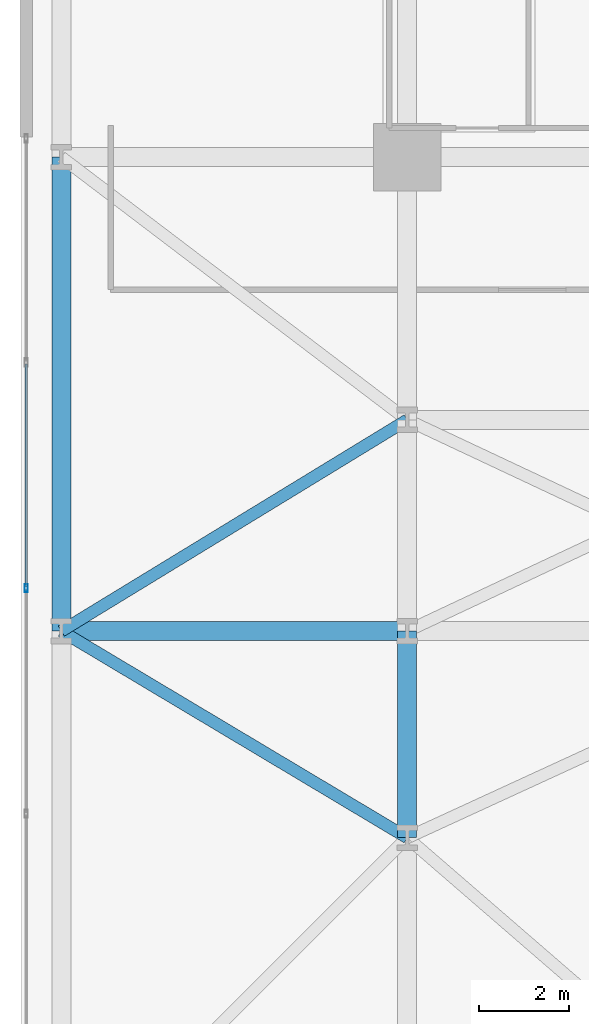
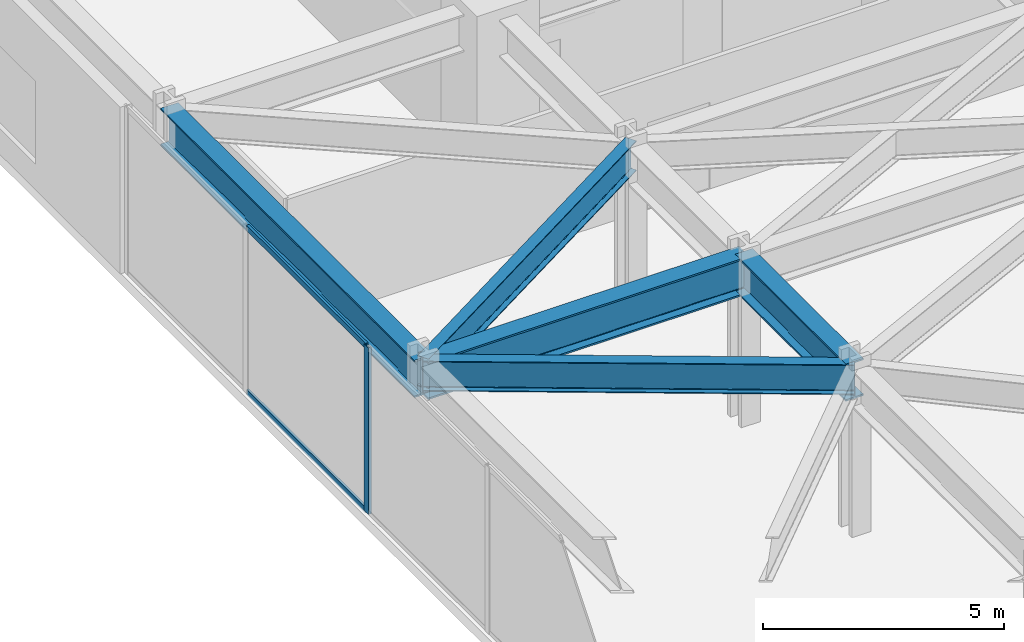
# One storey, part 10 of 28: 5 beams, 3 members, 1 element without a shape of its own.
"""IFC4 building model written with IfcOpenShell, lengths in metres."""

import ifcopenshell
import ifcopenshell.guid

model = None  # the IFC model being written
_history = None  # IfcOwnerHistory: only IFC2X3 demands one
_inside = {}  # id of a spatial element -> (the spatial element, [elements in it])
_under = {}  # id of a project, library or spatial element -> (it, [spatial elements below it])
_declared = {}  # id of a project -> (the project, [libraries it declares])
_typed = {}  # id of a type object -> (the type object, [elements of that type])
_made_of = {}  # id of a material, layer set ... -> (it, [elements and type objects made of it])


def new_model(schema):
    """Start an empty IFC model of exactly this schema.

    Asked for "IFC4X3", IfcOpenShell would pick the latest addendum, in which some entities
    have other attributes; the version numbers below select the first issue.
    IFC2X3 requires an IfcOwnerHistory on every rooted entity: one is made here for all.
    """
    global model, _history
    if schema == "IFC4X3":
        model = ifcopenshell.file(schema_version=(4, 3, 0, 0))
    else:
        model = ifcopenshell.file(schema=schema)
    _inside.clear()
    _under.clear()
    _declared.clear()
    _typed.clear()
    _made_of.clear()
    _history = None
    if model.schema == "IFC2X3":
        org = make("IfcOrganization", Name="unknown")
        user = make(
            "IfcPersonAndOrganization",
            ThePerson=make("IfcPerson", FamilyName="unknown"),
            TheOrganization=org,
        )
        app = make(
            "IfcApplication",
            ApplicationDeveloper=org,
            Version="unknown",
            ApplicationFullName="unknown",
            ApplicationIdentifier="unknown",
        )
        _history = make(
            "IfcOwnerHistory",
            OwningUser=user,
            OwningApplication=app,
            ChangeAction="ADDED",
            CreationDate=0,
        )
    return model


def make(cls, **values):
    """One entity of the class cls with the attributes given. An attribute that is None is left unset."""
    return model.create_entity(
        cls, **{name: value for name, value in values.items() if value is not None}
    )


def rooted(cls, **values):
    """An entity with a GlobalId (a new one), such as an element, a storey or a relation."""
    return make(cls, GlobalId=ifcopenshell.guid.new(), OwnerHistory=_history, **values)


def si_unit(unit_type, name, prefix=None):
    """IfcSIUnit, for example si_unit("LENGTHUNIT", "METRE", prefix="MILLI")."""
    return make("IfcSIUnit", UnitType=unit_type, Prefix=prefix, Name=name)


def assignment(units):
    """IfcUnitAssignment: the units of a project."""
    return None if units is None else make("IfcUnitAssignment", Units=units)


def point(xyz):
    """IfcCartesianPoint."""
    return None if xyz is None else make("IfcCartesianPoint", Coordinates=xyz)


def direction(xyz):
    """IfcDirection."""
    return None if xyz is None else make("IfcDirection", DirectionRatios=xyz)


def frame(location, z_axis=None, x_axis=None):
    """IfcAxis2Placement3D, a coordinate frame: its origin and axes. An axis left out is left unset."""
    return make(
        "IfcAxis2Placement3D",
        Location=point(location),
        Axis=direction(z_axis),
        RefDirection=direction(x_axis),
    )


def frame_2d(location, x_axis=None):
    """IfcAxis2Placement2D, a coordinate frame in the plane: its origin and x axis."""
    return make(
        "IfcAxis2Placement2D", Location=point(location), RefDirection=direction(x_axis)
    )


def origin():
    """The frame at (0, 0, 0) with its axes left unset."""
    return frame((0.0, 0.0, 0.0))


def origin_2d():
    """The frame at (0, 0) in the plane with its x axis left unset."""
    return frame_2d((0.0, 0.0))


def place(relative_to, where):
    """IfcLocalPlacement: puts the frame where relative to a parent placement (None: the world)."""
    return make(
        "IfcLocalPlacement", PlacementRelTo=relative_to, RelativePlacement=where
    )


def context(
    kind, dimensions, precision=None, world=None, true_north=None, identifier=None
):
    """IfcGeometricRepresentationContext, for example the 3D "Model" context."""
    return make(
        "IfcGeometricRepresentationContext",
        ContextIdentifier=identifier,
        ContextType=kind,
        CoordinateSpaceDimension=dimensions,
        Precision=precision,
        WorldCoordinateSystem=world,
        TrueNorth=true_north,
    )


def subcontext(parent, identifier, kind, view, scale=None):
    """IfcGeometricRepresentationSubContext, for example "Body" below "Model"."""
    return make(
        "IfcGeometricRepresentationSubContext",
        ContextIdentifier=identifier,
        ContextType=kind,
        ParentContext=parent,
        TargetScale=scale,
        TargetView=view,
    )


def project(units=None, contexts=None):
    """IfcProject with its units and contexts."""
    return rooted(
        "IfcProject",
        Name="project",
        RepresentationContexts=contexts,
        UnitsInContext=assignment(units),
    )


def spatial(cls, under=None, at=None, **own):
    """A site, building, storey or space (cls), placed at a placement, below another one or the project."""
    s = rooted(cls, ObjectPlacement=at, **own)
    if under is not None:
        _under.setdefault(under.id(), (under, []))[1].append(s)
    return s


def profile(cls, at=None, kind="AREA", **sizes):
    """A parametric profile (cls). Its sizes go by their IFC names, for example OverallWidth=200.0."""
    return make(cls, ProfileType=kind, Position=at, **sizes)


def hollow_rectangle(**sizes):
    """IfcRectangleHollowProfileDef."""
    return profile("IfcRectangleHollowProfileDef", **sizes)


def i_section(**sizes):
    """IfcIShapeProfileDef."""
    return profile("IfcIShapeProfileDef", **sizes)


def extrude(swept, where, along, depth):
    """IfcExtrudedAreaSolid: the profile swept, set in the frame where, extruded along a direction by depth."""
    return make(
        "IfcExtrudedAreaSolid",
        SweptArea=swept,
        Position=where,
        ExtrudedDirection=direction(along),
        Depth=depth,
    )


def shape(context_of_items, identifier, shape_type, items):
    """IfcShapeRepresentation: the items that make up one representation, for example the "Body"."""
    return make(
        "IfcShapeRepresentation",
        ContextOfItems=context_of_items,
        RepresentationIdentifier=identifier,
        RepresentationType=shape_type,
        Items=items,
    )


def material(Name=None, Category=None):
    """IfcMaterial."""
    return make("IfcMaterial", Name=Name, Category=Category)


def layer(
    of_material, thickness, ventilated=None, Name=None, Category=None, Priority=None
):
    """IfcMaterialLayer: one layer of a wall or slab, of a material (None: an air gap)."""
    return make(
        "IfcMaterialLayer",
        Material=of_material,
        LayerThickness=thickness,
        IsVentilated=ventilated,
        Name=Name,
        Category=Category,
        Priority=Priority,
    )


def layer_set(layers, Name=None):
    """IfcMaterialLayerSet."""
    return make("IfcMaterialLayerSet", MaterialLayers=layers, LayerSetName=Name)


def material_profile(
    of_material, cross_section, Name=None, Category=None, Priority=None
):
    """IfcMaterialProfile: a cross section and its material."""
    return make(
        "IfcMaterialProfile",
        Name=Name,
        Material=of_material,
        Profile=cross_section,
        Priority=Priority,
        Category=Category,
    )


def profile_set(profiles, Name=None, composite=None):
    """IfcMaterialProfileSet."""
    return make(
        "IfcMaterialProfileSet",
        Name=Name,
        MaterialProfiles=profiles,
        CompositeProfile=composite,
    )


def made_of(thing, what):
    """Note that an element or type object is made of a material, layer set ...; save() writes the relation."""
    if what is not None:
        _made_of.setdefault(what.id(), (what, []))[1].append(thing)
    return thing


def type_object(cls, material=None, **own):
    """A type object (cls), such as IfcWallType, which elements share."""
    return made_of(rooted(cls, **own), material)


def element(
    cls,
    number,
    at=None,
    inside=None,
    cuts=None,
    type_object=None,
    material=None,
    context=None,
    identifier="Body",
    shape_type=None,
    held_by="IfcProductDefinitionShape",
    body=None,
    shapes=None,
    **own,
):
    """One element of the class cls, such as IfcWall. Its Tag is "e" and its number.

    at: its placement. inside: the storey or other place that contains it. cuts: it is an
    opening in that element (IfcRelVoidsElement). A single representation is given by context,
    identifier, shape_type and body (its items); several are given by shapes. held_by: the class
    of the entity that holds the representations. save() writes the other relations.
    """
    e = rooted(cls, Tag="e%d" % number, ObjectPlacement=at, **own)
    if body is not None:
        shapes = [shape(context, identifier, shape_type, body)]
    if shapes is not None:
        e.Representation = make(held_by, Representations=shapes)
    if inside is not None:
        _inside.setdefault(inside.id(), (inside, []))[1].append(e)
    if cuts is not None:
        rooted(
            "IfcRelVoidsElement", RelatingBuildingElement=cuts, RelatedOpeningElement=e
        )
    if type_object is not None:
        _typed.setdefault(type_object.id(), (type_object, []))[1].append(e)
    return made_of(e, material)


def aggregate(whole, parts):
    """IfcRelAggregates: a whole, such as a stair, and the parts it consists of."""
    return rooted("IfcRelAggregates", RelatingObject=whole, RelatedObjects=parts)


def save(model, path):
    """Write the relations noted so far, then the file.

    IfcRelAggregates (storeys below a building ...), IfcRelContainedInSpatialStructure (elements
    in a storey), IfcRelDefinesByType, IfcRelAssociatesMaterial and IfcRelDeclares: one each for
    every whole, place, type object, material and project.
    """
    for whole, parts in _under.values():
        aggregate(whole, parts)
    for where, things in _inside.values():
        rooted(
            "IfcRelContainedInSpatialStructure",
            RelatedElements=things,
            RelatingStructure=where,
        )
    for kind, things in _typed.values():
        rooted("IfcRelDefinesByType", RelatedObjects=things, RelatingType=kind)
    for what, things in _made_of.values():
        rooted("IfcRelAssociatesMaterial", RelatedObjects=things, RelatingMaterial=what)
    for by, libraries in _declared.values():
        rooted("IfcRelDeclares", RelatingContext=by, RelatedDefinitions=libraries)
    model.write(path)


model = new_model("IFC4")

# Units and contexts
model_context = context("Model", 3, precision=1e-05, world=origin(), true_north=direction((0.0, 1.0)))
body_context = subcontext(model_context, "Body", "Model", "MODEL_VIEW")
ifc_project = project(units=[si_unit("LENGTHUNIT", "METRE"), si_unit("AREAUNIT", "SQUARE_METRE"), si_unit("VOLUMEUNIT", "CUBIC_METRE"), si_unit("PLANEANGLEUNIT", "RADIAN"), si_unit("MASSUNIT", "GRAM", prefix="KILO")], contexts=[model_context])

# Site, building, storey
site_placement = place(None, origin())
site = spatial("IfcSite", under=ifc_project, at=site_placement, CompositionType="ELEMENT")
building_placement = place(site_placement, origin())
building = spatial("IfcBuilding", under=site, at=building_placement, Name="Kravanh Interchange Tower", CompositionType="ELEMENT")
storey_placement = place(building_placement, frame((0.0, 0.0, 15.300048828125)))
storey = spatial("IfcBuildingStorey", under=building, at=storey_placement, Name="L03", CompositionType="ELEMENT", Elevation=15.300048828125)

# Curtain wall, members
ifc_material_1 = material(Name="Anodised Bronze Aluminium", Category="aluminium")
ifc_layer = layer(ifc_material_1, 0.179931640625)
ifc_layer_set = layer_set([ifc_layer], Name="Unitised Curtain Wall System CW-POD Podium Concourse")
curtain_wall_type = type_object("IfcCurtainWallType", Name="Unitised Curtain Wall System CW-POD Podium Concourse", PredefinedType="NOTDEFINED", material=ifc_layer_set)
curtain_wall_placement = place(storey_placement, origin())
curtain_wall = element("IfcCurtainWall", 1, at=curtain_wall_placement, inside=storey, type_object=curtain_wall_type, Name="L03 Unitised Curtain Wall CW-L03-01", PredefinedType="NOTDEFINED")
ifc_material_2 = material(Name="Anodised Bronze Aluminium", Category="aluminium")
ifc_material_profile_1 = material_profile(ifc_material_2, hollow_rectangle(XDim=0.070068359375, YDim=0.179931640625, WallThickness=0.00390625, at=origin_2d()), Name="ALU70X180X4")
ifc_profile_set_1 = profile_set([ifc_material_profile_1], Name="Anodised Bronze Aluminium")
member_type_1 = type_object("IfcMemberType", Name="Curtain Wall Mullion ALU70X180X4 Bronze", PredefinedType="MULLION", material=ifc_profile_set_1)
member_1_placement = place(storey_placement, frame((0.1201171875, 27.757080078125, 0.0), z_axis=(0.0, 0.0, 1.0), x_axis=(-1.0, 0.0, 0.0)))
member_1 = element("IfcMember", 2, at=member_1_placement, type_object=member_type_1, Name="CW-POD mullion 6", PredefinedType="MULLION", context=body_context, shape_type="SweptSolid", body=[
    extrude(hollow_rectangle(XDim=0.070068359375, YDim=0.179931640625, WallThickness=0.00390625, at=origin_2d()), origin(), (0.0, 0.0, 1.0), 4.22998046875),
])
ifc_material_3 = material(Name="Anodised Bronze Aluminium", Category="aluminium")
ifc_material_profile_2 = material_profile(ifc_material_3, hollow_rectangle(XDim=0.06005859375, YDim=0.139892578125, WallThickness=0.00390625, at=origin_2d()), Name="ALU60X140X4")
ifc_profile_set_2 = profile_set([ifc_material_profile_2], Name="Anodised Bronze Aluminium")
member_type_2 = type_object("IfcMemberType", Name="Curtain Wall Transom ALU60X140X4 Bronze", PredefinedType="USERDEFINED", material=ifc_profile_set_2)
member_2_placement = place(storey_placement, frame((0.1201171875, 27.7919921875, 0.030029296875), z_axis=(0.0, 1.0, 0.0), x_axis=(-1.0, 0.0, 0.0)))
member_2 = element("IfcMember", 3, at=member_2_placement, type_object=member_type_2, Name="CW-POD transom 6.1", ObjectType="TRANSOM", PredefinedType="USERDEFINED", context=body_context, shape_type="SweptSolid", body=[
    extrude(hollow_rectangle(XDim=0.06005859375, YDim=0.139892578125, WallThickness=0.00390625, at=origin_2d()), origin(), (0.0, 0.0, 1.0), 4.951416015625),
])
member_3_placement = place(storey_placement, frame((0.1201171875, 27.7919921875, 4.199951171875), z_axis=(0.0, 1.0, 0.0), x_axis=(-1.0, 0.0, 0.0)))
member_3 = element("IfcMember", 4, at=member_3_placement, type_object=member_type_2, Name="CW-POD transom 6.2", ObjectType="TRANSOM", PredefinedType="USERDEFINED", context=body_context, shape_type="SweptSolid", body=[
    extrude(hollow_rectangle(XDim=0.06005859375, YDim=0.139892578125, WallThickness=0.00390625, at=origin_2d()), origin(), (0.0, 0.0, 1.0), 4.951416015625),
])
aggregate(curtain_wall, [member_1, member_2, member_3])

# Beams
ifc_material_4 = material(Name="Structural Steel S450", Category="steel")
ifc_material_profile_3 = material_profile(ifc_material_4, i_section(OverallWidth=0.423095703125, OverallDepth=0.947998046875, WebThickness=0.02392578125, FlangeThickness=0.042724609375, FilletRadius=0.028076171875, at=origin_2d()), Name="W36X302")
ifc_profile_set_3 = profile_set([ifc_material_profile_3], Name="Structural Steel S450")
beam_type_1 = type_object("IfcBeamType", Name="Floor Beam W36X302 Structural Steel S450", PredefinedType="BEAM", material=ifc_profile_set_3)
beam_1_placement = place(storey_placement, frame((8.60009765625, 22.199951171875, 3.755859375), z_axis=(0.0, 1.0, 0.0), x_axis=(-1.0, 0.0, 0.0)))
element("IfcBeam", 5, at=beam_1_placement, inside=storey, type_object=beam_type_1, Name="L03 Primary Floor Girder 57", PredefinedType="BEAM", context=body_context, shape_type="SweptSolid", body=[
    extrude(i_section(OverallWidth=0.423095703125, OverallDepth=0.947998046875, WebThickness=0.02392578125, FlangeThickness=0.042724609375, FilletRadius=0.028076171875, at=origin_2d()), origin(), (0.0, 0.0, 1.0), 4.60009765625),
])
beam_2_placement = place(storey_placement, frame((8.60009765625, 26.800048828125, 3.755859375), z_axis=(-1.0, 0.0, 0.0), x_axis=(0.0, -1.0, 0.0)))
element("IfcBeam", 6, at=beam_2_placement, inside=storey, type_object=beam_type_1, Name="L03 Primary Floor Girder 74", PredefinedType="BEAM", context=body_context, shape_type="SweptSolid", body=[
    extrude(i_section(OverallWidth=0.423095703125, OverallDepth=0.947998046875, WebThickness=0.02392578125, FlangeThickness=0.042724609375, FilletRadius=0.028076171875, at=origin_2d()), origin(), (0.0, 0.0, 1.0), 7.7001953125),
])
beam_3_placement = place(storey_placement, frame((0.89990234375, 26.800048828125, 3.755859375), z_axis=(0.0, 1.0, 0.0), x_axis=(-1.0, 0.0, 0.0)))
element("IfcBeam", 7, at=beam_3_placement, inside=storey, type_object=beam_type_1, Name="L03 Primary Floor Girder 124", PredefinedType="BEAM", context=body_context, shape_type="SweptSolid", body=[
    extrude(i_section(OverallWidth=0.423095703125, OverallDepth=0.947998046875, WebThickness=0.02392578125, FlangeThickness=0.042724609375, FilletRadius=0.028076171875, at=origin_2d()), origin(), (0.0, 0.0, 1.0), 10.550048828125),
])
ifc_material_5 = material(Name="Structural Steel S355", Category="steel")
ifc_material_profile_4 = material_profile(ifc_material_5, i_section(OverallWidth=0.26708984375, OverallDepth=0.761962890625, WebThickness=0.014404296875, FlangeThickness=0.021484375, FilletRadius=0.02490234375, at=origin_2d()), Name="W30X116")
ifc_profile_set_4 = profile_set([ifc_material_profile_4], Name="Structural Steel S355")
beam_type_2 = type_object("IfcBeamType", Name="Floor Spandrel W30X116 Structural Steel S355", PredefinedType="SPANDREL", material=ifc_profile_set_4)
beam_4_placement = place(storey_placement, frame((8.60009765625, 22.199951171875, 3.848876953125), z_axis=(-0.858476029739, 0.512853689041, 0.0), x_axis=(-0.512853689041, -0.858476029739, 0.0)))
element("IfcBeam", 8, at=beam_4_placement, inside=storey, type_object=beam_type_2, Name="L03 Perimeter Spandrel 58", PredefinedType="SPANDREL", context=body_context, shape_type="SweptSolid", body=[
    extrude(i_section(OverallWidth=0.26708984375, OverallDepth=0.761962890625, WebThickness=0.014404296875, FlangeThickness=0.021484375, FilletRadius=0.02490234375, at=origin_2d()), origin(), (0.0, 0.0, 1.0), 8.9697265625),
])
beam_5_placement = place(storey_placement, frame((8.60009765625, 31.5, 3.848876953125), z_axis=(-0.85356401423, -0.520987978375, 0.0), x_axis=(0.520987978375, -0.85356401423, 0.0)))
element("IfcBeam", 9, at=beam_5_placement, inside=storey, type_object=beam_type_2, Name="L03 Perimeter Spandrel 105", PredefinedType="SPANDREL", context=body_context, shape_type="SweptSolid", body=[
    extrude(i_section(OverallWidth=0.26708984375, OverallDepth=0.761962890625, WebThickness=0.014404296875, FlangeThickness=0.021484375, FilletRadius=0.02490234375, at=origin_2d()), origin(), (0.0, 0.0, 1.0), 9.021240234375),
])

save(model, "model.ifc")
